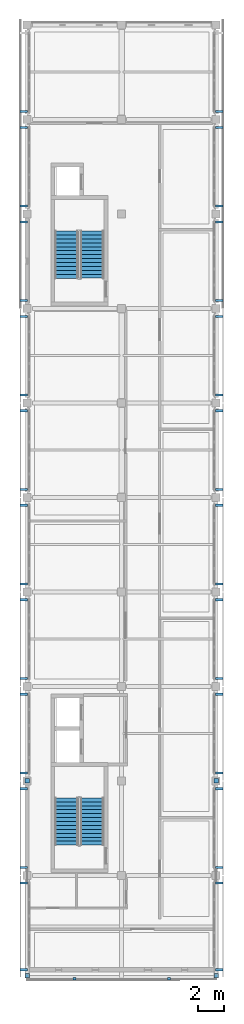
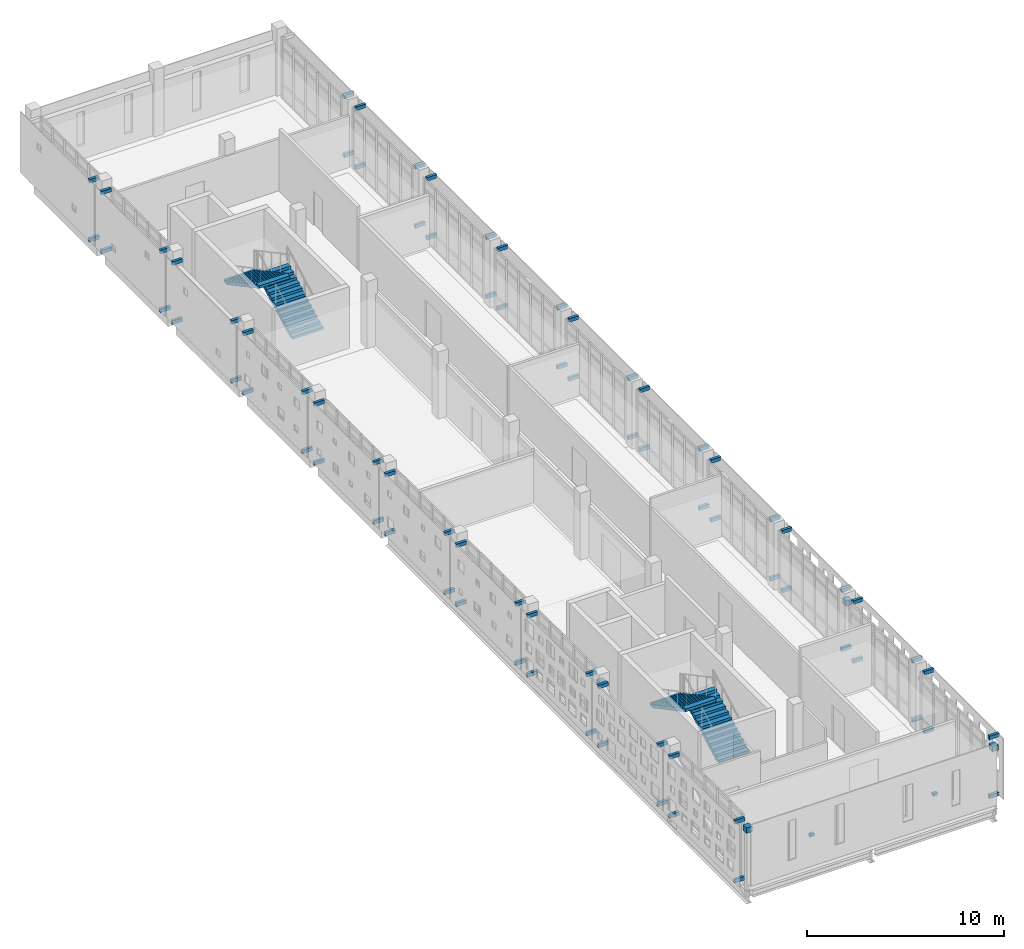
# One storey, part 17 of 21: 82 discrete accessories, 4 stair flights, 2 elements without a shape of their own.
"""IFC4 building model written with IfcOpenShell, lengths in metres."""

from ifc_helpers import new_model, si_unit, direction, frame, origin, origin_2d, place, context, subcontext, project, spatial, polyline, rectangle, outline, extrude, material, type_object, element, aggregate, save


model = new_model("IFC4")

# Units and contexts
model_context = context("Model", 3, precision=1e-05, world=origin(), true_north=direction((0.0, 1.0)))
body_context = subcontext(model_context, "Body", "Model", "MODEL_VIEW")
ifc_project = project(units=[si_unit("LENGTHUNIT", "METRE"), si_unit("AREAUNIT", "SQUARE_METRE"), si_unit("VOLUMEUNIT", "CUBIC_METRE"), si_unit("PLANEANGLEUNIT", "RADIAN"), si_unit("MASSUNIT", "GRAM", prefix="KILO")], contexts=[model_context])

# Site, building, storey
site_placement = place(None, origin())
site = spatial("IfcSite", under=ifc_project, at=site_placement, CompositionType="ELEMENT")
building_placement = place(site_placement, origin())
building = spatial("IfcBuilding", under=site, at=building_placement, Name="Valkovuoma Quantum and Materials Research Institute", CompositionType="ELEMENT")
storey_placement = place(building_placement, frame((0.0, 0.0, 29.760009765625)))
storey = spatial("IfcBuildingStorey", under=building, at=storey_placement, Name="L07", CompositionType="ELEMENT", Elevation=29.760009765625)

# Stair, stair flights
ifc_material_1 = material(Name="Concrete C40/50", Category="concrete")
stair_type = type_object("IfcStairType", Name="Stair-ST-COR", PredefinedType="HALF_TURN_STAIR", material=ifc_material_1)
stair_1_placement = place(storey_placement, origin())
stair_1 = element("IfcStair", 1, at=stair_1_placement, inside=storey, type_object=stair_type, Name="L07 Exit Stair ST-1", PredefinedType="HALF_TURN_STAIR")
ifc_material_2 = material(Name="Concrete C40/50", Category="concrete")
stair_flight_type = type_object("IfcStairFlightType", Name="Flight-STF-145", PredefinedType="STRAIGHT", material=ifc_material_2)
stair_flight_1_placement = place(storey_placement, frame((4.949951171875, 31.10009765625, 0.0), z_axis=(0.0, 0.0, 1.0), x_axis=(0.0, 1.0, 0.0)))
stair_flight_1 = element("IfcStairFlight", 2, at=stair_flight_1_placement, type_object=stair_flight_type, Name="ST-1 flight 1", NumberOfRisers=13, NumberOfTreads=12, PredefinedType="STRAIGHT", RiserHeight=0.16, TreadLength=0.3, context=body_context, shape_type="SweptSolid", body=[
    extrude(outline(polyline([(0.0, 0.0), (0.0, 0.159912109375), (0.300048828125, 0.159912109375), (0.300048828125, 0.320068359375), (0.60009765625, 0.320068359375), (0.60009765625, 0.47998046875), (0.89990234375, 0.47998046875), (0.89990234375, 0.639892578125), (1.199951171875, 0.639892578125), (1.199951171875, 0.800048828125), (1.5, 0.800048828125), (1.5, 0.9599609375), (1.800048828125, 0.9599609375), (1.800048828125, 1.1201171875), (2.10009765625, 1.1201171875), (2.10009765625, 1.280029296875), (2.39990234375, 1.280029296875), (2.39990234375, 1.43994140625), (2.699951171875, 1.43994140625), (2.699951171875, 1.60009765625), (3.0, 1.60009765625), (3.0, 1.760009765625), (3.300048828125, 1.760009765625), (3.300048828125, 1.919921875), (3.60009765625, 1.919921875), (3.60009765625, 2.080078125), (3.60009765625, 1.75), (0.318603515625, 0.0), (0.0, 0.0)])), frame((0.0, 0.89990234375, 0.0), z_axis=(0.0, -1.0, 0.0), x_axis=(1.0, 0.0, 0.0)), (0.0, 0.0, 1.0), 1.800048828125),
])
stair_flight_2_placement = place(storey_placement, frame((3.0, 34.699951171875, 2.080078125), z_axis=(0.0, 0.0, 1.0), x_axis=(0.0, -1.0, 0.0)))
stair_flight_2 = element("IfcStairFlight", 3, at=stair_flight_2_placement, type_object=stair_flight_type, Name="ST-1 flight 2", NumberOfRisers=13, NumberOfTreads=12, PredefinedType="STRAIGHT", RiserHeight=0.16, TreadLength=0.3, context=body_context, shape_type="SweptSolid", body=[
    extrude(outline(polyline([(0.0, 0.0), (0.0, 0.159912109375), (0.300048828125, 0.159912109375), (0.300048828125, 0.320068359375), (0.60009765625, 0.320068359375), (0.60009765625, 0.47998046875), (0.89990234375, 0.47998046875), (0.89990234375, 0.639892578125), (1.199951171875, 0.639892578125), (1.199951171875, 0.800048828125), (1.5, 0.800048828125), (1.5, 0.9599609375), (1.800048828125, 0.9599609375), (1.800048828125, 1.1201171875), (2.10009765625, 1.1201171875), (2.10009765625, 1.280029296875), (2.39990234375, 1.280029296875), (2.39990234375, 1.43994140625), (2.699951171875, 1.43994140625), (2.699951171875, 1.60009765625), (3.0, 1.60009765625), (3.0, 1.760009765625), (3.300048828125, 1.760009765625), (3.300048828125, 1.919921875), (3.60009765625, 1.919921875), (3.60009765625, 2.080078125), (3.60009765625, 1.75), (0.318603515625, 0.0), (0.0, 0.0)])), frame((0.0, 0.89990234375, 0.0), z_axis=(0.0, -1.0, 0.0), x_axis=(1.0, 0.0, 0.0)), (0.0, 0.0, 1.0), 1.800048828125),
])
aggregate(stair_1, [stair_flight_1, stair_flight_2])

stair_2_placement = place(storey_placement, origin())
stair_2 = element("IfcStair", 4, at=stair_2_placement, inside=storey, type_object=stair_type, Name="L07 Exit Stair ST-2", PredefinedType="HALF_TURN_STAIR")
stair_flight_3_placement = place(storey_placement, frame((4.949951171875, 74.300048828125, 0.0), z_axis=(0.0, 0.0, 1.0), x_axis=(0.0, 1.0, 0.0)))
stair_flight_3 = element("IfcStairFlight", 5, at=stair_flight_3_placement, type_object=stair_flight_type, Name="ST-2 flight 1", NumberOfRisers=13, NumberOfTreads=12, PredefinedType="STRAIGHT", RiserHeight=0.16, TreadLength=0.3, context=body_context, shape_type="SweptSolid", body=[
    extrude(outline(polyline([(0.0, 0.0), (0.0, 0.159912109375), (0.300048828125, 0.159912109375), (0.300048828125, 0.320068359375), (0.60009765625, 0.320068359375), (0.60009765625, 0.47998046875), (0.89990234375, 0.47998046875), (0.89990234375, 0.639892578125), (1.199951171875, 0.639892578125), (1.199951171875, 0.800048828125), (1.5, 0.800048828125), (1.5, 0.9599609375), (1.800048828125, 0.9599609375), (1.800048828125, 1.1201171875), (2.10009765625, 1.1201171875), (2.10009765625, 1.280029296875), (2.39990234375, 1.280029296875), (2.39990234375, 1.43994140625), (2.699951171875, 1.43994140625), (2.699951171875, 1.60009765625), (3.0, 1.60009765625), (3.0, 1.760009765625), (3.300048828125, 1.760009765625), (3.300048828125, 1.919921875), (3.60009765625, 1.919921875), (3.60009765625, 2.080078125), (3.60009765625, 1.75), (0.318603515625, 0.0), (0.0, 0.0)])), frame((0.0, 0.89990234375, 0.0), z_axis=(0.0, -1.0, 0.0), x_axis=(1.0, 0.0, 0.0)), (0.0, 0.0, 1.0), 1.800048828125),
])
stair_flight_4_placement = place(storey_placement, frame((3.0, 77.89990234375, 2.080078125), z_axis=(0.0, 0.0, 1.0), x_axis=(0.0, -1.0, 0.0)))
stair_flight_4 = element("IfcStairFlight", 6, at=stair_flight_4_placement, type_object=stair_flight_type, Name="ST-2 flight 2", NumberOfRisers=13, NumberOfTreads=12, PredefinedType="STRAIGHT", RiserHeight=0.16, TreadLength=0.3, context=body_context, shape_type="SweptSolid", body=[
    extrude(outline(polyline([(0.0, 0.0), (0.0, 0.159912109375), (0.300048828125, 0.159912109375), (0.300048828125, 0.320068359375), (0.60009765625, 0.320068359375), (0.60009765625, 0.47998046875), (0.89990234375, 0.47998046875), (0.89990234375, 0.639892578125), (1.199951171875, 0.639892578125), (1.199951171875, 0.800048828125), (1.5, 0.800048828125), (1.5, 0.9599609375), (1.800048828125, 0.9599609375), (1.800048828125, 1.1201171875), (2.10009765625, 1.1201171875), (2.10009765625, 1.280029296875), (2.39990234375, 1.280029296875), (2.39990234375, 1.43994140625), (2.699951171875, 1.43994140625), (2.699951171875, 1.60009765625), (3.0, 1.60009765625), (3.0, 1.760009765625), (3.300048828125, 1.760009765625), (3.300048828125, 1.919921875), (3.60009765625, 1.919921875), (3.60009765625, 2.080078125), (3.60009765625, 1.75), (0.318603515625, 0.0), (0.0, 0.0)])), frame((0.0, 0.89990234375, 0.0), z_axis=(0.0, -1.0, 0.0), x_axis=(1.0, 0.0, 0.0)), (0.0, 0.0, 1.0), 1.800048828125),
])
aggregate(stair_2, [stair_flight_3, stair_flight_4])

# Discrete accessories
ifc_material_3 = material(Name="Steel S355J2", Category="steel")
discrete_accessory_type_1 = type_object("IfcDiscreteAccessoryType", Name="Brk-BRK-01", PredefinedType="BRACKET", material=ifc_material_3)
for number, where, z_axis, x_axis, name in (
    (7, (3.60009765625, 20.919921875, 1.81494140625), (0.0, 0.0, 1.0), (0.0, 1.0, 0.0), "L07 south end skin bracket 1"),
    (8, (10.800048828125, 20.919921875, 1.81494140625), (0.0, 0.0, 1.0), (0.0, 1.0, 0.0), "L07 south end skin bracket 2"),
):
    element("IfcDiscreteAccessory", number, at=place(storey_placement, frame(where, z_axis=z_axis, x_axis=x_axis)), inside=storey, type_object=discrete_accessory_type_1, Name=name, PredefinedType="BRACKET", context=body_context, shape_type="SweptSolid", body=[
        extrude(rectangle(XDim=0.159912109375, YDim=0.239990234375, at=origin_2d()), origin(), (0.0, 0.0, 1.0), 0.179931640625),
    ])
for number, where, z_axis, x_axis, name in (
    (9, (-0.25, 21.60009765625, -0.02978515625), (0.0, 0.0, 1.0), (1.0, 0.0, 0.0), "L07 screen bracket 00381"),
    (10, (-0.25, 28.199951171875, -0.02978515625), (0.0, 0.0, 1.0), (1.0, 0.0, 0.0), "L07 screen bracket 00382"),
    (11, (-0.25, 21.60009765625, 3.6201171875), (0.0, 0.0, 1.0), (1.0, 0.0, 0.0), "L07 screen bracket 00383"),
    (12, (-0.25, 28.199951171875, 3.6201171875), (0.0, 0.0, 1.0), (1.0, 0.0, 0.0), "L07 screen bracket 00384"),
    (13, (14.64990234375, 21.60009765625, -0.02978515625), (0.0, 0.0, 1.0), (1.0, 0.0, 0.0), "L07 screen bracket 00385"),
    (14, (14.64990234375, 28.199951171875, -0.02978515625), (0.0, 0.0, 1.0), (1.0, 0.0, 0.0), "L07 screen bracket 00386"),
    (15, (14.64990234375, 21.60009765625, 3.6201171875), (0.0, 0.0, 1.0), (1.0, 0.0, 0.0), "L07 screen bracket 00387"),
    (16, (14.64990234375, 28.199951171875, 3.6201171875), (0.0, 0.0, 1.0), (1.0, 0.0, 0.0), "L07 screen bracket 00388"),
    (17, (-0.25, 29.39990234375, -0.02978515625), (0.0, 0.0, 1.0), (1.0, 0.0, 0.0), "L07 screen bracket 00389"),
    (18, (-0.25, 35.39990234375, -0.02978515625), (0.0, 0.0, 1.0), (1.0, 0.0, 0.0), "L07 screen bracket 00390"),
    (19, (-0.25, 29.39990234375, 3.6201171875), (0.0, 0.0, 1.0), (1.0, 0.0, 0.0), "L07 screen bracket 00391"),
    (20, (-0.25, 35.39990234375, 3.6201171875), (0.0, 0.0, 1.0), (1.0, 0.0, 0.0), "L07 screen bracket 00392"),
    (21, (14.64990234375, 29.39990234375, -0.02978515625), (0.0, 0.0, 1.0), (1.0, 0.0, 0.0), "L07 screen bracket 00393"),
    (22, (14.64990234375, 35.39990234375, -0.02978515625), (0.0, 0.0, 1.0), (1.0, 0.0, 0.0), "L07 screen bracket 00394"),
    (23, (14.64990234375, 29.39990234375, 3.6201171875), (0.0, 0.0, 1.0), (1.0, 0.0, 0.0), "L07 screen bracket 00395"),
    (24, (14.64990234375, 35.39990234375, 3.6201171875), (0.0, 0.0, 1.0), (1.0, 0.0, 0.0), "L07 screen bracket 00396"),
    (25, (-0.25, 36.60009765625, -0.02978515625), (0.0, 0.0, 1.0), (1.0, 0.0, 0.0), "L07 screen bracket 00397"),
    (26, (-0.25, 42.60009765625, -0.02978515625), (0.0, 0.0, 1.0), (1.0, 0.0, 0.0), "L07 screen bracket 00398"),
    (27, (-0.25, 36.60009765625, 3.6201171875), (0.0, 0.0, 1.0), (1.0, 0.0, 0.0), "L07 screen bracket 00399"),
    (28, (-0.25, 42.60009765625, 3.6201171875), (0.0, 0.0, 1.0), (1.0, 0.0, 0.0), "L07 screen bracket 00400"),
    (29, (14.64990234375, 36.60009765625, -0.02978515625), (0.0, 0.0, 1.0), (1.0, 0.0, 0.0), "L07 screen bracket 00401"),
    (30, (14.64990234375, 42.60009765625, -0.02978515625), (0.0, 0.0, 1.0), (1.0, 0.0, 0.0), "L07 screen bracket 00402"),
    (31, (14.64990234375, 36.60009765625, 3.6201171875), (0.0, 0.0, 1.0), (1.0, 0.0, 0.0), "L07 screen bracket 00403"),
    (32, (14.64990234375, 42.60009765625, 3.6201171875), (0.0, 0.0, 1.0), (1.0, 0.0, 0.0), "L07 screen bracket 00404"),
    (33, (-0.25, 43.800048828125, -0.02978515625), (0.0, 0.0, 1.0), (1.0, 0.0, 0.0), "L07 screen bracket 00405"),
    (34, (-0.25, 49.800048828125, -0.02978515625), (0.0, 0.0, 1.0), (1.0, 0.0, 0.0), "L07 screen bracket 00406"),
    (35, (-0.25, 43.800048828125, 3.6201171875), (0.0, 0.0, 1.0), (1.0, 0.0, 0.0), "L07 screen bracket 00407"),
    (36, (-0.25, 49.800048828125, 3.6201171875), (0.0, 0.0, 1.0), (1.0, 0.0, 0.0), "L07 screen bracket 00408"),
    (37, (14.64990234375, 43.800048828125, -0.02978515625), (0.0, 0.0, 1.0), (1.0, 0.0, 0.0), "L07 screen bracket 00409"),
    (38, (14.64990234375, 49.800048828125, -0.02978515625), (0.0, 0.0, 1.0), (1.0, 0.0, 0.0), "L07 screen bracket 00410"),
    (39, (14.64990234375, 43.800048828125, 3.6201171875), (0.0, 0.0, 1.0), (1.0, 0.0, 0.0), "L07 screen bracket 00411"),
    (40, (14.64990234375, 49.800048828125, 3.6201171875), (0.0, 0.0, 1.0), (1.0, 0.0, 0.0), "L07 screen bracket 00412"),
    (41, (-0.25, 51.0, -0.02978515625), (0.0, 0.0, 1.0), (1.0, 0.0, 0.0), "L07 screen bracket 00413"),
    (42, (-0.25, 57.0, -0.02978515625), (0.0, 0.0, 1.0), (1.0, 0.0, 0.0), "L07 screen bracket 00414"),
    (43, (-0.25, 51.0, 3.6201171875), (0.0, 0.0, 1.0), (1.0, 0.0, 0.0), "L07 screen bracket 00415"),
    (44, (-0.25, 57.0, 3.6201171875), (0.0, 0.0, 1.0), (1.0, 0.0, 0.0), "L07 screen bracket 00416"),
    (45, (14.64990234375, 51.0, -0.02978515625), (0.0, 0.0, 1.0), (1.0, 0.0, 0.0), "L07 screen bracket 00417"),
    (46, (14.64990234375, 57.0, -0.02978515625), (0.0, 0.0, 1.0), (1.0, 0.0, 0.0), "L07 screen bracket 00418"),
    (47, (14.64990234375, 51.0, 3.6201171875), (0.0, 0.0, 1.0), (1.0, 0.0, 0.0), "L07 screen bracket 00419"),
    (48, (14.64990234375, 57.0, 3.6201171875), (0.0, 0.0, 1.0), (1.0, 0.0, 0.0), "L07 screen bracket 00420"),
    (49, (-0.25, 58.199951171875, -0.02978515625), (0.0, 0.0, 1.0), (1.0, 0.0, 0.0), "L07 screen bracket 00421"),
    (50, (-0.25, 64.199951171875, -0.02978515625), (0.0, 0.0, 1.0), (1.0, 0.0, 0.0), "L07 screen bracket 00422"),
    (51, (-0.25, 58.199951171875, 3.6201171875), (0.0, 0.0, 1.0), (1.0, 0.0, 0.0), "L07 screen bracket 00423"),
    (52, (-0.25, 64.199951171875, 3.6201171875), (0.0, 0.0, 1.0), (1.0, 0.0, 0.0), "L07 screen bracket 00424"),
    (53, (14.64990234375, 58.199951171875, -0.02978515625), (0.0, 0.0, 1.0), (1.0, 0.0, 0.0), "L07 screen bracket 00425"),
    (54, (14.64990234375, 64.199951171875, -0.02978515625), (0.0, 0.0, 1.0), (1.0, 0.0, 0.0), "L07 screen bracket 00426"),
    (55, (14.64990234375, 58.199951171875, 3.6201171875), (0.0, 0.0, 1.0), (1.0, 0.0, 0.0), "L07 screen bracket 00427"),
    (56, (14.64990234375, 64.199951171875, 3.6201171875), (0.0, 0.0, 1.0), (1.0, 0.0, 0.0), "L07 screen bracket 00428"),
    (57, (-0.25, 65.39990234375, -0.02978515625), (0.0, 0.0, 1.0), (1.0, 0.0, 0.0), "L07 screen bracket 00429"),
    (58, (-0.25, 71.39990234375, -0.02978515625), (0.0, 0.0, 1.0), (1.0, 0.0, 0.0), "L07 screen bracket 00430"),
    (59, (-0.25, 65.39990234375, 3.6201171875), (0.0, 0.0, 1.0), (1.0, 0.0, 0.0), "L07 screen bracket 00431"),
    (60, (-0.25, 71.39990234375, 3.6201171875), (0.0, 0.0, 1.0), (1.0, 0.0, 0.0), "L07 screen bracket 00432"),
    (61, (14.64990234375, 65.39990234375, -0.02978515625), (0.0, 0.0, 1.0), (1.0, 0.0, 0.0), "L07 screen bracket 00433"),
    (62, (14.64990234375, 71.39990234375, -0.02978515625), (0.0, 0.0, 1.0), (1.0, 0.0, 0.0), "L07 screen bracket 00434"),
    (63, (14.64990234375, 65.39990234375, 3.6201171875), (0.0, 0.0, 1.0), (1.0, 0.0, 0.0), "L07 screen bracket 00435"),
    (64, (14.64990234375, 71.39990234375, 3.6201171875), (0.0, 0.0, 1.0), (1.0, 0.0, 0.0), "L07 screen bracket 00436"),
    (65, (-0.25, 72.60009765625, -0.02978515625), (0.0, 0.0, 1.0), (1.0, 0.0, 0.0), "L07 screen bracket 00437"),
    (66, (-0.25, 78.60009765625, -0.02978515625), (0.0, 0.0, 1.0), (1.0, 0.0, 0.0), "L07 screen bracket 00438"),
    (67, (-0.25, 72.60009765625, 3.6201171875), (0.0, 0.0, 1.0), (1.0, 0.0, 0.0), "L07 screen bracket 00439"),
    (68, (-0.25, 78.60009765625, 3.6201171875), (0.0, 0.0, 1.0), (1.0, 0.0, 0.0), "L07 screen bracket 00440"),
    (69, (14.64990234375, 72.60009765625, -0.02978515625), (0.0, 0.0, 1.0), (1.0, 0.0, 0.0), "L07 screen bracket 00441"),
    (70, (14.64990234375, 78.60009765625, -0.02978515625), (0.0, 0.0, 1.0), (1.0, 0.0, 0.0), "L07 screen bracket 00442"),
    (71, (14.64990234375, 72.60009765625, 3.6201171875), (0.0, 0.0, 1.0), (1.0, 0.0, 0.0), "L07 screen bracket 00443"),
    (72, (14.64990234375, 78.60009765625, 3.6201171875), (0.0, 0.0, 1.0), (1.0, 0.0, 0.0), "L07 screen bracket 00444"),
    (73, (-0.25, 79.800048828125, -0.02978515625), (0.0, 0.0, 1.0), (1.0, 0.0, 0.0), "L07 screen bracket 00445"),
    (74, (-0.25, 85.800048828125, -0.02978515625), (0.0, 0.0, 1.0), (1.0, 0.0, 0.0), "L07 screen bracket 00446"),
    (75, (-0.25, 79.800048828125, 3.6201171875), (0.0, 0.0, 1.0), (1.0, 0.0, 0.0), "L07 screen bracket 00447"),
    (76, (-0.25, 85.800048828125, 3.6201171875), (0.0, 0.0, 1.0), (1.0, 0.0, 0.0), "L07 screen bracket 00448"),
    (77, (14.64990234375, 79.800048828125, -0.02978515625), (0.0, 0.0, 1.0), (1.0, 0.0, 0.0), "L07 screen bracket 00449"),
    (78, (14.64990234375, 85.800048828125, -0.02978515625), (0.0, 0.0, 1.0), (1.0, 0.0, 0.0), "L07 screen bracket 00450"),
    (79, (14.64990234375, 79.800048828125, 3.6201171875), (0.0, 0.0, 1.0), (1.0, 0.0, 0.0), "L07 screen bracket 00451"),
    (80, (14.64990234375, 85.800048828125, 3.6201171875), (0.0, 0.0, 1.0), (1.0, 0.0, 0.0), "L07 screen bracket 00452"),
    (81, (-0.25, 87.0, -0.02978515625), (0.0, 0.0, 1.0), (1.0, 0.0, 0.0), "L07 screen bracket 00453"),
    (82, (-0.25, 87.0, 3.6201171875), (0.0, 0.0, 1.0), (1.0, 0.0, 0.0), "L07 screen bracket 00455"),
    (83, (14.64990234375, 87.0, -0.02978515625), (0.0, 0.0, 1.0), (1.0, 0.0, 0.0), "L07 screen bracket 00457"),
    (84, (14.64990234375, 87.0, 3.6201171875), (0.0, 0.0, 1.0), (1.0, 0.0, 0.0), "L07 screen bracket 00459"),
):
    element("IfcDiscreteAccessory", number, at=place(storey_placement, frame(where, z_axis=z_axis, x_axis=x_axis)), inside=storey, type_object=discrete_accessory_type_1, Name=name, PredefinedType="BRACKET", context=body_context, shape_type="SweptSolid", body=[
        extrude(rectangle(XDim=0.580078125, YDim=0.159912109375, at=origin_2d()), origin(), (0.0, 0.0, 1.0), 0.219970703125),
    ])
ifc_material_4 = material(Name="Steel S355J2", Category="steel")
discrete_accessory_type_2 = type_object("IfcDiscreteAccessoryType", Name="Conn-END-01", PredefinedType="BRACKET", material=ifc_material_4)
for number, where, z_axis, x_axis, name in (
    (85, (0.0, 21.14990234375, 3.23974609375), (0.0, 0.0, 1.0), (1.0, 0.0, 0.0), "L07 brace end connection assembly 0031"),
    (86, (0.0, 36.0, 3.23974609375), (0.0, 0.0, 1.0), (1.0, 0.0, 0.0), "L07 brace end connection assembly 0032"),
    (87, (14.39990234375, 21.14990234375, 3.23974609375), (0.0, 0.0, 1.0), (1.0, 0.0, 0.0), "L07 brace end connection assembly 0033"),
    (88, (14.39990234375, 36.0, 3.23974609375), (0.0, 0.0, 1.0), (1.0, 0.0, 0.0), "L07 brace end connection assembly 0034"),
):
    element("IfcDiscreteAccessory", number, at=place(storey_placement, frame(where, z_axis=z_axis, x_axis=x_axis)), inside=storey, type_object=discrete_accessory_type_2, Name=name, PredefinedType="BRACKET", context=body_context, shape_type="SweptSolid", body=[
        extrude(rectangle(XDim=0.340087890625, YDim=0.340087890625, at=origin_2d()), origin(), (0.0, 0.0, 1.0), 0.340087890625),
    ])

save(model, "model.ifc")
